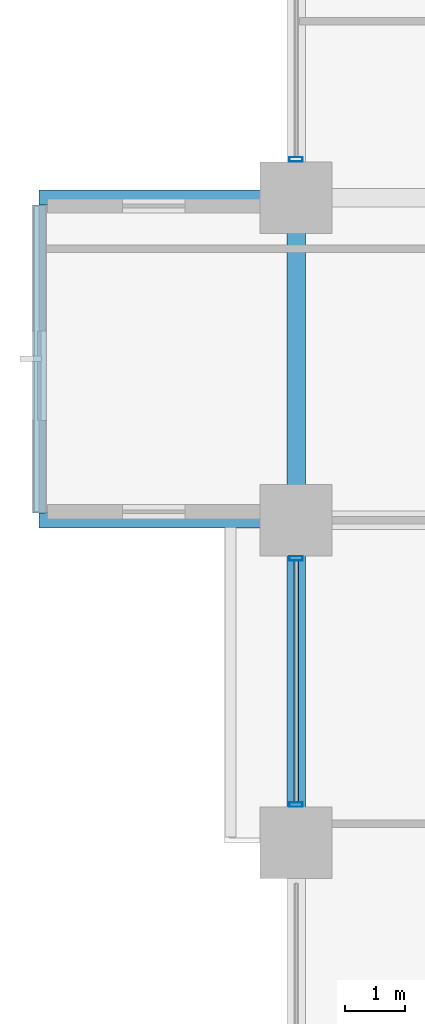
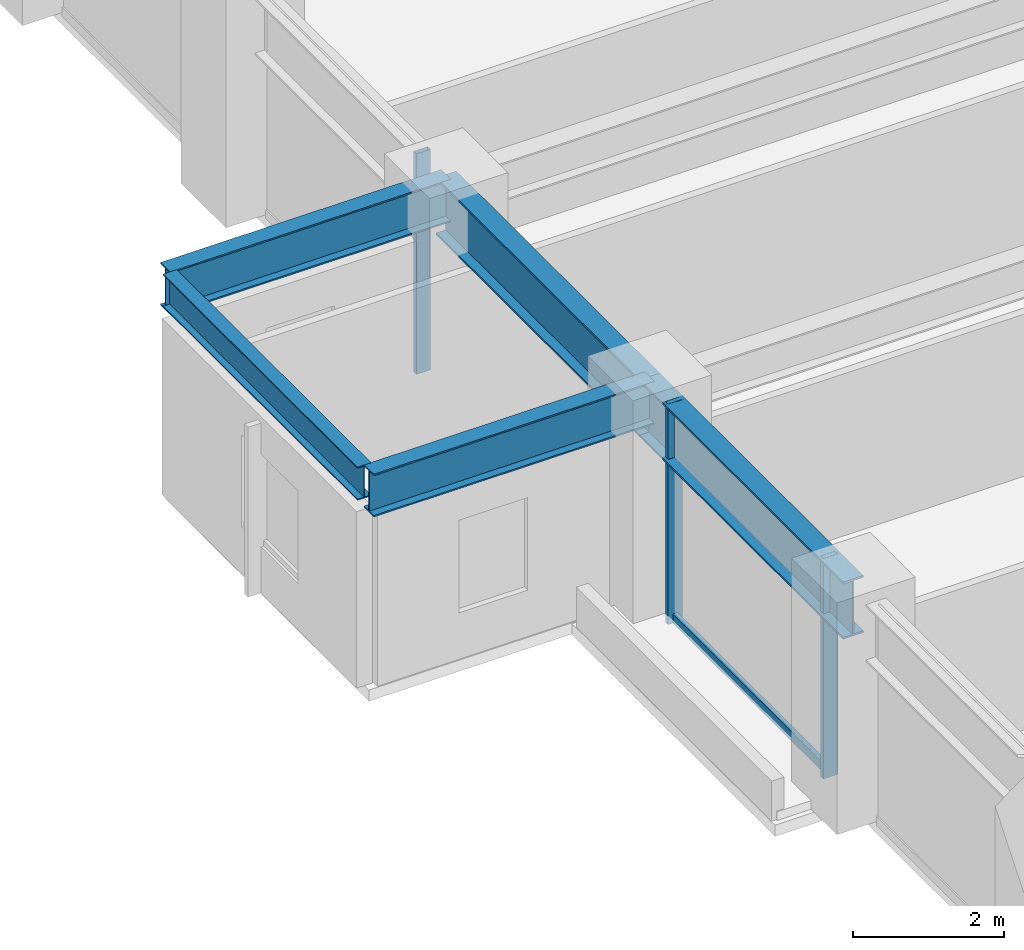
# One storey, part 5 of 28: 5 beams, 4 members, 2 elements without a shape of their own.
"""IFC4 building model written with IfcOpenShell, lengths in metres."""

from ifc_helpers import new_model, si_unit, direction, frame, origin, origin_2d, place, context, subcontext, project, spatial, hollow_rectangle, i_section, extrude, material, layer, layer_set, material_profile, profile_set, type_object, element, aggregate, save


model = new_model("IFC4")

# Units and contexts
model_context = context("Model", 3, precision=1e-05, world=origin(), true_north=direction((0.0, 1.0)))
body_context = subcontext(model_context, "Body", "Model", "MODEL_VIEW")
ifc_project = project(units=[si_unit("LENGTHUNIT", "METRE"), si_unit("AREAUNIT", "SQUARE_METRE"), si_unit("VOLUMEUNIT", "CUBIC_METRE"), si_unit("PLANEANGLEUNIT", "RADIAN"), si_unit("MASSUNIT", "GRAM", prefix="KILO")], contexts=[model_context])

# Site, building, storey
site_placement = place(None, origin())
site = spatial("IfcSite", under=ifc_project, at=site_placement, CompositionType="ELEMENT")
building_placement = place(site_placement, origin())
building = spatial("IfcBuilding", under=site, at=building_placement, Name="Surkhivell Harbour Commons", CompositionType="ELEMENT")
storey_placement = place(building_placement, frame((0.0, 0.0, 63.75)))
storey = spatial("IfcBuildingStorey", under=building, at=storey_placement, Name="L16", CompositionType="ELEMENT", Elevation=63.75)

# Beams
ifc_material_1 = material(Name="Steel S460", Category="steel")
ifc_material_profile_1 = material_profile(ifc_material_1, i_section(OverallWidth=0.256103515625, OverallDepth=0.693115234375, WebThickness=0.014404296875, FlangeThickness=0.023681640625, at=origin_2d()), Name="UB686x254x170")
ifc_profile_set_1 = profile_set([ifc_material_profile_1], Name="Steel S460")
beam_type_1 = type_object("IfcBeamType", Name="BM-CNT-686", PredefinedType="BEAM", material=ifc_profile_set_1)
for number, where, z_axis, x_axis, name in (
    (1, (-32.39990234375, 0.0, 3.223388671875), (-1.0, 0.0, 0.0), (0.0, -1.0, 0.0), "L16 Box Cantilever Outrigger (-32.4,0.0)"),
    (2, (-32.39990234375, 5.39990234375, 3.223388671875), (-1.0, 0.0, 0.0), (0.0, -1.0, 0.0), "L16 Box Cantilever Outrigger (-32.4,5.4)"),
):
    element("IfcBeam", number, at=place(storey_placement, frame(where, z_axis=z_axis, x_axis=x_axis)), inside=storey, type_object=beam_type_1, Name=name, PredefinedType="BEAM", context=body_context, shape_type="SweptSolid", body=[
        extrude(i_section(OverallWidth=0.256103515625, OverallDepth=0.693115234375, WebThickness=0.014404296875, FlangeThickness=0.023681640625, at=origin_2d()), origin(), (0.0, 0.0, 1.0), 4.300048828125),
    ])
ifc_material_2 = material(Name="Steel S355", Category="steel")
ifc_material_profile_2 = material_profile(ifc_material_2, i_section(OverallWidth=0.2099609375, OverallDepth=0.537109375, WebThickness=0.0107421875, FlangeThickness=0.017333984375, at=origin_2d()), Name="UB533x210x101")
ifc_profile_set_2 = profile_set([ifc_material_profile_2], Name="Steel S355")
beam_type_2 = type_object("IfcBeamType", Name="BM-GRD-533B", PredefinedType="BEAM", material=ifc_profile_set_2)
beam_placement = place(storey_placement, frame((-36.699951171875, 0.1220703125, 3.301513671875), z_axis=(0.0, 1.0, 0.0), x_axis=(-1.0, 0.0, 0.0)))
element("IfcBeam", 3, at=beam_placement, inside=storey, type_object=beam_type_2, Name="L16 Box Rim Spandrel (-36.7,0.0)", PredefinedType="BEAM", context=body_context, shape_type="SweptSolid", body=[
    extrude(i_section(OverallWidth=0.2099609375, OverallDepth=0.537109375, WebThickness=0.0107421875, FlangeThickness=0.017333984375, at=origin_2d()), origin(), (0.0, 0.0, 1.0), 5.156005859375),
])
ifc_material_profile_3 = material_profile(ifc_material_1, i_section(OverallWidth=0.30810546875, OverallDepth=0.927001953125, WebThickness=0.01953125, FlangeThickness=0.031982421875, at=origin_2d()), Name="UB914x305x289")
ifc_profile_set_3 = profile_set([ifc_material_profile_3], Name="Steel S460")
beam_type_3 = type_object("IfcBeamType", Name="BM-SPN-914B", PredefinedType="SPANDREL", material=ifc_profile_set_3)
for number, where, z_axis, x_axis, name in (
    (4, (-32.39990234375, -5.39990234375, 3.1064453125), (0.0, 1.0, 0.0), (-1.0, 0.0, 0.0), "L16 Tube Spandrel (-32.4,-5.4)"),
    (5, (-32.39990234375, 0.0, 3.1064453125), (0.0, 1.0, 0.0), (-1.0, 0.0, 0.0), "L16 Tube Spandrel (-32.4,0.0)"),
):
    element("IfcBeam", number, at=place(storey_placement, frame(where, z_axis=z_axis, x_axis=x_axis)), inside=storey, type_object=beam_type_3, Name=name, PredefinedType="SPANDREL", context=body_context, shape_type="SweptSolid", body=[
        extrude(i_section(OverallWidth=0.30810546875, OverallDepth=0.927001953125, WebThickness=0.01953125, FlangeThickness=0.031982421875, at=origin_2d()), origin(), (0.0, 0.0, 1.0), 5.39990234375),
    ])

# Curtain wall, members
ifc_material_3 = material(Name="Anodised pale-metal aluminium and insulated glazing", Category="aluminium")
ifc_layer = layer(ifc_material_3, 0.219970703125)
ifc_layer_set = layer_set([ifc_layer], Name="Anodised pale-metal aluminium and insulated glazing")
curtain_wall_type = type_object("IfcCurtainWallType", Name="CW-SYS-Z1", PredefinedType="NOTDEFINED", material=ifc_layer_set)
curtain_wall_1_placement = place(storey_placement, origin())
curtain_wall_1 = element("IfcCurtainWall", 6, at=curtain_wall_1_placement, inside=storey, type_object=curtain_wall_type, Name="L16 Curtain Wall CW-L16-E12R1S2", PredefinedType="NOTDEFINED")
ifc_material_4 = material(Name="Anodised pale-metal aluminium alloy 6063-T6", Category="aluminium")
ifc_material_profile_4 = material_profile(ifc_material_4, hollow_rectangle(XDim=0.074951171875, YDim=0.219970703125, WallThickness=0.00390625, at=origin_2d()), Name="ALU-MULL-75x220")
ifc_profile_set_4 = profile_set([ifc_material_profile_4], Name="Anodised pale-metal aluminium alloy 6063-T6")
member_type_1 = type_object("IfcMemberType", Name="CWM-220", PredefinedType="MULLION", material=ifc_profile_set_4)
member_1_placement = place(storey_placement, frame((-32.39990234375, -4.760498046875, 0.0), z_axis=(0.0, 0.0, 1.0), x_axis=(0.0, 1.0, 0.0)))
member_1 = element("IfcMember", 7, at=member_1_placement, type_object=member_type_1, Name="CW-Z1 mullion 2", PredefinedType="MULLION", context=body_context, shape_type="SweptSolid", body=[
    extrude(hollow_rectangle(XDim=0.074951171875, YDim=0.219970703125, WallThickness=0.00390625, at=origin_2d()), origin(), (0.0, 0.0, 1.0), 3.570068359375),
])
member_2_placement = place(storey_placement, frame((-32.39990234375, -0.639404296875, 0.0), z_axis=(0.0, 0.0, 1.0), x_axis=(0.0, 1.0, 0.0)))
member_2 = element("IfcMember", 8, at=member_2_placement, type_object=member_type_1, Name="CW-Z1 mullion 3", PredefinedType="MULLION", context=body_context, shape_type="SweptSolid", body=[
    extrude(hollow_rectangle(XDim=0.074951171875, YDim=0.219970703125, WallThickness=0.00390625, at=origin_2d()), origin(), (0.0, 0.0, 1.0), 3.570068359375),
])

# Curtain wall, member
curtain_wall_2_placement = place(storey_placement, origin())
curtain_wall_2 = element("IfcCurtainWall", 9, at=curtain_wall_2_placement, inside=storey, type_object=curtain_wall_type, Name="L16 Curtain Wall CW-L16-E12R2", PredefinedType="NOTDEFINED")
member_3_placement = place(storey_placement, frame((-32.39990234375, 6.03955078125, 0.0), z_axis=(0.0, 0.0, 1.0), x_axis=(0.0, 1.0, 0.0)))
member_3 = element("IfcMember", 10, at=member_3_placement, type_object=member_type_1, Name="CW-Z1 mullion 1", PredefinedType="MULLION", context=body_context, shape_type="SweptSolid", body=[
    extrude(hollow_rectangle(XDim=0.074951171875, YDim=0.219970703125, WallThickness=0.00390625, at=origin_2d()), origin(), (0.0, 0.0, 1.0), 3.570068359375),
])
aggregate(curtain_wall_2, [member_3])

# Member
ifc_material_profile_5 = material_profile(ifc_material_4, hollow_rectangle(XDim=0.074951171875, YDim=0.14990234375, WallThickness=0.00341796875, at=origin_2d()), Name="ALU-TRAN-75x150")
ifc_profile_set_5 = profile_set([ifc_material_profile_5], Name="Anodised pale-metal aluminium alloy 6063-T6")
member_type_2 = type_object("IfcMemberType", Name="CWT-150", PredefinedType="USERDEFINED", material=ifc_profile_set_5)
member_4_placement = place(storey_placement, frame((-32.39990234375, -4.722900390625, 0.074951171875), z_axis=(0.0, 1.0, 0.0), x_axis=(-1.0, 0.0, 0.0)))
member_4 = element("IfcMember", 11, at=member_4_placement, type_object=member_type_2, Name="CW-Z1 transom 2.1", ObjectType="TRANSOM", PredefinedType="USERDEFINED", context=body_context, shape_type="SweptSolid", body=[
    extrude(hollow_rectangle(XDim=0.074951171875, YDim=0.14990234375, WallThickness=0.00341796875, at=origin_2d()), origin(), (0.0, 0.0, 1.0), 4.0458984375),
])

aggregate(curtain_wall_1, [member_1, member_2, member_4])

save(model, "model.ifc")
